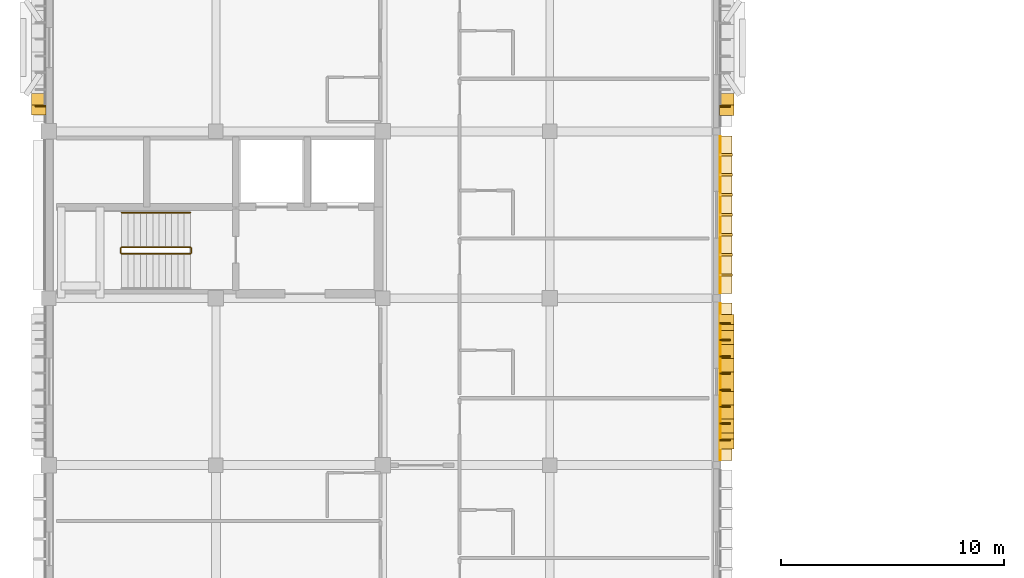
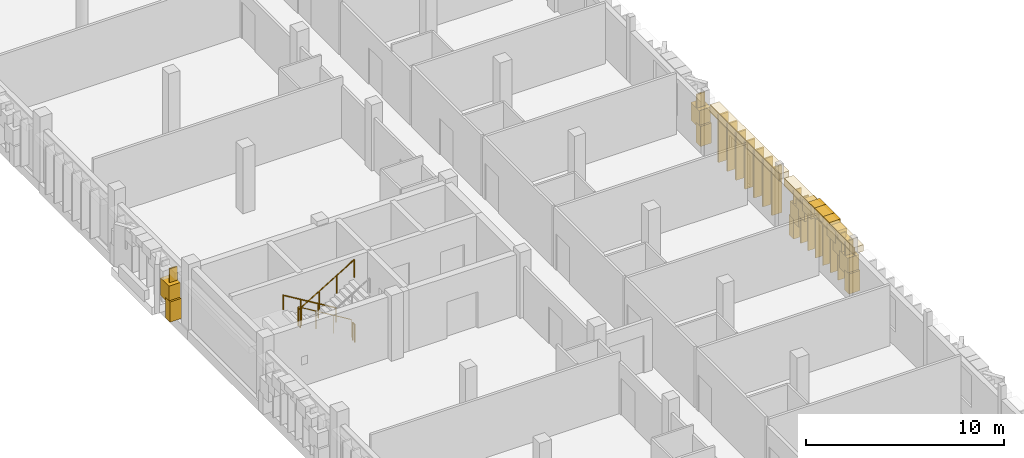
# One storey, part 35 of 48: 26 coverings, 10 shading devices, 5 railings.
"""IFC4 building model written with IfcOpenShell, lengths in metres."""

from ifc_helpers import new_model, si_unit, direction, frame, origin, origin_2d, place, context, subcontext, project, spatial, rectangle, circle, extrude, material, layer, layer_set, type_object, element, save


model = new_model("IFC4")

# Units and contexts
model_context = context("Model", 3, precision=1e-05, world=origin(), true_north=direction((0.0, 1.0)))
body_context = subcontext(model_context, "Body", "Model", "MODEL_VIEW")
ifc_project = project(units=[si_unit("LENGTHUNIT", "METRE"), si_unit("AREAUNIT", "SQUARE_METRE"), si_unit("VOLUMEUNIT", "CUBIC_METRE"), si_unit("PLANEANGLEUNIT", "RADIAN"), si_unit("MASSUNIT", "GRAM", prefix="KILO")], contexts=[model_context])

# Site, building, storey
site_placement = place(None, origin())
site = spatial("IfcSite", under=ifc_project, at=site_placement, CompositionType="ELEMENT")
building_placement = place(site_placement, origin())
building = spatial("IfcBuilding", under=site, at=building_placement, Name="Dalvernix Boulevard General Hospital", CompositionType="ELEMENT")
storey_placement = place(building_placement, frame((0.0, 0.0, 17.85009765625)))
storey = spatial("IfcBuildingStorey", under=building, at=storey_placement, Name="L04", CompositionType="ELEMENT", Elevation=17.85009765625)

# Coverings
ifc_material_1 = material(Name="Pressed Catalan clay brick and dressed limestone parabolic archivolt", Category="masonry")
ifc_layer_1 = layer(ifc_material_1, 0.419921875)
ifc_layer_set_1 = layer_set([ifc_layer_1], Name="Pressed Catalan clay brick and dressed limestone parabolic archivolt (COV-ARC-01)")
covering_type_1 = type_object("IfcCoveringType", Name="COV-ARC-01", PredefinedType="CLADDING", material=ifc_layer_set_1)
covering_1_placement = place(storey_placement, frame((-0.4599609375, 62.46240234375, 0.0), z_axis=(0.0, 0.0, 1.0), x_axis=(0.0, 1.0, 0.0)))
element("IfcCovering", 1, at=covering_1_placement, inside=storey, type_object=covering_type_1, Name="L04 Catalan parabolic arch impost pier W 0-8-L", PredefinedType="CLADDING", context=body_context, shape_type="SweptSolid", body=[
    extrude(rectangle(XDim=0.4599609375, YDim=0.659912109375, at=origin_2d()), origin(), (0.0, 0.0, 1.0), 1.25),
])
covering_2_placement = place(storey_placement, frame((-0.4599609375, 62.773681640625, 1.06005859375), z_axis=(0.0, 0.0, 1.0), x_axis=(0.0, 1.0, 0.0)))
element("IfcCovering", 2, at=covering_2_placement, inside=storey, type_object=covering_type_1, Name="L04 Catalan parabolic archivolt voussoir W 0-8-1", PredefinedType="CLADDING", context=body_context, shape_type="SweptSolid", body=[
    extrude(rectangle(XDim=0.8623046875, YDim=0.659912109375, at=origin_2d()), origin(), (0.0, 0.0, 1.0), 1.091064453125),
])
for number, where, z_axis, x_axis, name in (
    (3, (30.4599609375, 53.050048828125, 0.0), (0.0, 0.0, 1.0), (0.0, -1.0, 0.0), "L04 Catalan parabolic arch impost pier E 4-6-L"),
    (4, (30.4599609375, 47.449951171875, 0.0), (0.0, 0.0, 1.0), (0.0, -1.0, 0.0), "L04 Catalan parabolic arch impost pier E 4-6-R"),
):
    element("IfcCovering", number, at=place(storey_placement, frame(where, z_axis=z_axis, x_axis=x_axis)), inside=storey, type_object=covering_type_1, Name=name, PredefinedType="CLADDING", context=body_context, shape_type="SweptSolid", body=[
        extrude(rectangle(XDim=0.4599609375, YDim=0.659912109375, at=origin_2d()), origin(), (0.0, 0.0, 1.0), 1.25),
    ])
covering_3_placement = place(storey_placement, frame((30.4599609375, 52.739013671875, 1.06005859375), z_axis=(0.0, 0.0, 1.0), x_axis=(0.0, -1.0, 0.0)))
element("IfcCovering", 5, at=covering_3_placement, inside=storey, type_object=covering_type_1, Name="L04 Catalan parabolic archivolt voussoir E 4-6-1", PredefinedType="CLADDING", context=body_context, shape_type="SweptSolid", body=[
    extrude(rectangle(XDim=0.8623046875, YDim=0.659912109375, at=origin_2d()), origin(), (0.0, 0.0, 1.0), 1.091064453125),
])
covering_4_placement = place(storey_placement, frame((30.4599609375, 52.11669921875, 1.77099609375), z_axis=(0.0, 0.0, 1.0), x_axis=(0.0, -1.0, 0.0)))
element("IfcCovering", 6, at=covering_4_placement, inside=storey, type_object=covering_type_1, Name="L04 Catalan parabolic archivolt voussoir E 4-6-2", PredefinedType="CLADDING", context=body_context, shape_type="SweptSolid", body=[
    extrude(rectangle(XDim=0.8623046875, YDim=0.659912109375, at=origin_2d()), origin(), (0.0, 0.0, 1.0), 0.913330078125),
])
covering_5_placement = place(storey_placement, frame((30.4599609375, 51.494384765625, 2.30419921875), z_axis=(0.0, 0.0, 1.0), x_axis=(0.0, -1.0, 0.0)))
element("IfcCovering", 7, at=covering_5_placement, inside=storey, type_object=covering_type_1, Name="L04 Catalan parabolic archivolt voussoir E 4-6-3", PredefinedType="CLADDING", context=body_context, shape_type="SweptSolid", body=[
    extrude(rectangle(XDim=0.8623046875, YDim=0.659912109375, at=origin_2d()), origin(), (0.0, 0.0, 1.0), 0.735595703125),
])
covering_6_placement = place(storey_placement, frame((30.4599609375, 50.872314453125, 2.65966796875), z_axis=(0.0, 0.0, 1.0), x_axis=(0.0, -1.0, 0.0)))
element("IfcCovering", 8, at=covering_6_placement, inside=storey, type_object=covering_type_1, Name="L04 Catalan parabolic archivolt voussoir E 4-6-4", PredefinedType="CLADDING", context=body_context, shape_type="SweptSolid", body=[
    extrude(rectangle(XDim=0.8623046875, YDim=0.659912109375, at=origin_2d()), origin(), (0.0, 0.0, 1.0), 0.557861328125),
])
covering_7_placement = place(storey_placement, frame((30.4599609375, 50.25, 2.837646484375), z_axis=(0.0, 0.0, 1.0), x_axis=(0.0, -1.0, 0.0)))
element("IfcCovering", 9, at=covering_7_placement, inside=storey, type_object=covering_type_1, Name="L04 Catalan parabolic archivolt voussoir E 4-6-5", PredefinedType="CLADDING", context=body_context, shape_type="SweptSolid", body=[
    extrude(rectangle(XDim=0.8623046875, YDim=0.659912109375, at=origin_2d()), origin(), (0.0, 0.0, 1.0), 0.3798828125),
])
covering_8_placement = place(storey_placement, frame((30.4599609375, 49.627685546875, 2.65966796875), z_axis=(0.0, 0.0, 1.0), x_axis=(0.0, -1.0, 0.0)))
element("IfcCovering", 10, at=covering_8_placement, inside=storey, type_object=covering_type_1, Name="L04 Catalan parabolic archivolt voussoir E 4-6-6", PredefinedType="CLADDING", context=body_context, shape_type="SweptSolid", body=[
    extrude(rectangle(XDim=0.8623046875, YDim=0.659912109375, at=origin_2d()), origin(), (0.0, 0.0, 1.0), 0.557861328125),
])
covering_9_placement = place(storey_placement, frame((30.4599609375, 49.005615234375, 2.30419921875), z_axis=(0.0, 0.0, 1.0), x_axis=(0.0, -1.0, 0.0)))
element("IfcCovering", 11, at=covering_9_placement, inside=storey, type_object=covering_type_1, Name="L04 Catalan parabolic archivolt voussoir E 4-6-7", PredefinedType="CLADDING", context=body_context, shape_type="SweptSolid", body=[
    extrude(rectangle(XDim=0.8623046875, YDim=0.659912109375, at=origin_2d()), origin(), (0.0, 0.0, 1.0), 0.735595703125),
])
covering_10_placement = place(storey_placement, frame((30.4599609375, 48.38330078125, 1.77099609375), z_axis=(0.0, 0.0, 1.0), x_axis=(0.0, -1.0, 0.0)))
element("IfcCovering", 12, at=covering_10_placement, inside=storey, type_object=covering_type_1, Name="L04 Catalan parabolic archivolt voussoir E 4-6-8", PredefinedType="CLADDING", context=body_context, shape_type="SweptSolid", body=[
    extrude(rectangle(XDim=0.8623046875, YDim=0.659912109375, at=origin_2d()), origin(), (0.0, 0.0, 1.0), 0.913330078125),
])
covering_11_placement = place(storey_placement, frame((30.4599609375, 47.760986328125, 1.06005859375), z_axis=(0.0, 0.0, 1.0), x_axis=(0.0, -1.0, 0.0)))
element("IfcCovering", 13, at=covering_11_placement, inside=storey, type_object=covering_type_1, Name="L04 Catalan parabolic archivolt voussoir E 4-6-9", PredefinedType="CLADDING", context=body_context, shape_type="SweptSolid", body=[
    extrude(rectangle(XDim=0.8623046875, YDim=0.659912109375, at=origin_2d()), origin(), (0.0, 0.0, 1.0), 1.091064453125),
])
covering_12_placement = place(storey_placement, frame((30.4599609375, 62.449951171875, 0.0), z_axis=(0.0, 0.0, 1.0), x_axis=(0.0, -1.0, 0.0)))
element("IfcCovering", 14, at=covering_12_placement, inside=storey, type_object=covering_type_1, Name="L04 Catalan parabolic arch impost pier E 4-8-R", PredefinedType="CLADDING", context=body_context, shape_type="SweptSolid", body=[
    extrude(rectangle(XDim=0.4599609375, YDim=0.659912109375, at=origin_2d()), origin(), (0.0, 0.0, 1.0), 1.25),
])
covering_13_placement = place(storey_placement, frame((30.4599609375, 62.760986328125, 1.06005859375), z_axis=(0.0, 0.0, 1.0), x_axis=(0.0, -1.0, 0.0)))
element("IfcCovering", 15, at=covering_13_placement, inside=storey, type_object=covering_type_1, Name="L04 Catalan parabolic archivolt voussoir E 4-8-9", PredefinedType="CLADDING", context=body_context, shape_type="SweptSolid", body=[
    extrude(rectangle(XDim=0.8623046875, YDim=0.659912109375, at=origin_2d()), origin(), (0.0, 0.0, 1.0), 1.091064453125),
])
ifc_material_2 = material(Name="Polychrome Catalan glazed ceramic spandrel tile panel")
ifc_layer_2 = layer(ifc_material_2, 0.044921875)
ifc_layer_set_2 = layer_set([ifc_layer_2], Name="Polychrome Catalan glazed ceramic spandrel tile panel (COV-CLD-01)")
covering_type_2 = type_object("IfcCoveringType", Name="COV-CLD-01", PredefinedType="CLADDING", material=ifc_layer_set_2)
for number, where, z_axis, x_axis, name in (
    (16, (30.169921875, 50.25, 2.69482421875), (0.0, 0.0, 1.0), (0.0, -1.0, 0.0), "L04 polychrome ceramic spandrel E 4-6"),
    (17, (30.169921875, 57.75, 2.69482421875), (0.0, 0.0, 1.0), (0.0, -1.0, 0.0), "L04 polychrome ceramic spandrel E 4-7"),
):
    element("IfcCovering", number, at=place(storey_placement, frame(where, z_axis=z_axis, x_axis=x_axis)), inside=storey, type_object=covering_type_2, Name=name, PredefinedType="CLADDING", context=body_context, shape_type="SweptSolid", body=[
        extrude(rectangle(XDim=7.06005859375, YDim=0.044921875, at=origin_2d()), origin(), (0.0, 0.0, 1.0), 0.449951171875),
    ])
ifc_material_3 = material(Name="Dressed ochre limestone classical plinth, stringcourse and corbelled cornice", Category="masonry")
ifc_layer_3 = layer(ifc_material_3, 0.449951171875)
ifc_layer_set_3 = layer_set([ifc_layer_3], Name="Dressed ochre limestone classical plinth, stringcourse and corbelled cornice (COV-CRN-01)")
covering_type_3 = type_object("IfcCoveringType", Name="COV-CRN-01", PredefinedType="CLADDING", material=ifc_layer_set_3)
for number, where, z_axis, x_axis, name in (
    (18, (30.409912109375, 50.25, 2.77001953125), (0.0, 0.0, 1.0), (0.0, -1.0, 0.0), "L04 classical corbelled cornice frieze E 4-6"),
    (19, (30.409912109375, 57.75, 2.77001953125), (0.0, 0.0, 1.0), (0.0, -1.0, 0.0), "L04 classical corbelled cornice frieze E 4-7"),
):
    element("IfcCovering", number, at=place(storey_placement, frame(where, z_axis=z_axis, x_axis=x_axis)), inside=storey, type_object=covering_type_3, Name=name, PredefinedType="CLADDING", context=body_context, shape_type="SweptSolid", body=[
        extrude(rectangle(XDim=7.06005859375, YDim=0.56005859375, at=origin_2d()), origin(), (0.0, 0.0, 1.0), 0.39990234375),
    ])
ifc_material_4 = material(Name="Terracotta-clad iroko timber brise-soleil sun-breaker fin", Category="masonry")
ifc_layer_4 = layer(ifc_material_4, 0.10009765625)
ifc_layer_set_4 = layer_set([ifc_layer_4], Name="Terracotta-clad iroko timber brise-soleil sun-breaker fin (COV-FIN-02)")
covering_type_4 = type_object("IfcCoveringType", Name="COV-FIN-02", PredefinedType="CLADDING", material=ifc_layer_set_4)
for number, where, z_axis, x_axis, name in (
    (20, (30.419921875, 60.449951171875, 0.1201171875), (0.0, 0.0, 1.0), (0.0, -1.0, 0.0), "L04 terracotta brise-soleil fin E 4-7-1"),
    (21, (30.419921875, 59.550048828125, 0.1201171875), (0.0, 0.0, 1.0), (0.0, -1.0, 0.0), "L04 terracotta brise-soleil fin E 4-7-2"),
    (22, (30.419921875, 58.64990234375, 0.1201171875), (0.0, 0.0, 1.0), (0.0, -1.0, 0.0), "L04 terracotta brise-soleil fin E 4-7-3"),
    (23, (30.419921875, 57.75, 0.1201171875), (0.0, 0.0, 1.0), (0.0, -1.0, 0.0), "L04 terracotta brise-soleil fin E 4-7-4"),
    (24, (30.419921875, 56.85009765625, 0.1201171875), (0.0, 0.0, 1.0), (0.0, -1.0, 0.0), "L04 terracotta brise-soleil fin E 4-7-5"),
    (25, (30.419921875, 55.949951171875, 0.1201171875), (0.0, 0.0, 1.0), (0.0, -1.0, 0.0), "L04 terracotta brise-soleil fin E 4-7-6"),
    (26, (30.419921875, 55.050048828125, 0.1201171875), (0.0, 0.0, 1.0), (0.0, -1.0, 0.0), "L04 terracotta brise-soleil fin E 4-7-7"),
):
    element("IfcCovering", number, at=place(storey_placement, frame(where, z_axis=z_axis, x_axis=x_axis)), inside=storey, type_object=covering_type_4, Name=name, PredefinedType="CLADDING", context=body_context, shape_type="SweptSolid", body=[
        extrude(rectangle(XDim=0.10009765625, YDim=0.580078125, at=origin_2d()), origin(), (0.0, 0.0, 1.0), 2.929931640625),
    ])

# Railings
ifc_material_5 = material(Name="Brushed stainless steel balustrade", Category="steel")
railing_type_1 = type_object("IfcRailingType", Name="RL-GR-INT1", PredefinedType="BALUSTRADE", material=ifc_material_5)
railing_1_placement = place(storey_placement, frame((6.35009765625, 56.300048828125, 0.168701171875)))
element("IfcRailing", 27, at=railing_1_placement, inside=storey, type_object=railing_type_1, Name="L04 ST-02 stair guard 1", PredefinedType="BALUSTRADE", context=body_context, shape_type="SweptSolid", body=[
    extrude(circle(Radius=0.02392578125, at=origin_2d()), frame((0.0, 0.0, 1.09619140625), z_axis=(-0.856490936558, 0.0, 0.516162063304), x_axis=(0.0, -1.0, 0.0)), (0.0, 0.0, 1.0), 3.59619140625),
    extrude(circle(Radius=0.02099609375, at=origin_2d()), origin(), (0.0, 0.0, 1.0), 1.072021484375),
    extrude(circle(Radius=0.02099609375, at=origin_2d()), frame((-1.026611328125, 0.0, 0.61865234375)), (0.0, 0.0, 1.0), 1.072021484375),
    extrude(circle(Radius=0.02099609375, at=origin_2d()), frame((-2.053466796875, 0.0, 1.237548828125)), (0.0, 0.0, 1.0), 1.072021484375),
    extrude(circle(Radius=0.02099609375, at=origin_2d()), frame((-3.080078125, 0.0, 1.856201171875)), (0.0, 0.0, 1.0), 1.072021484375),
])
railing_2_placement = place(storey_placement, frame((3.219970703125, 56.25, 2.02490234375)))
element("IfcRailing", 28, at=railing_2_placement, inside=storey, type_object=railing_type_1, Name="L04 ST-02 stair guard 2", PredefinedType="BALUSTRADE", context=body_context, shape_type="SweptSolid", body=[
    extrude(circle(Radius=0.02392578125, at=origin_2d()), frame((0.0, 0.0, 1.09619140625), z_axis=(0.0, -1.0, 0.0), x_axis=(1.0, 0.0, 0.0)), (0.0, 0.0, 1.0), 0.199951171875),
    extrude(circle(Radius=0.02099609375, at=origin_2d()), origin(), (0.0, 0.0, 1.0), 1.072021484375),
    extrude(circle(Radius=0.02099609375, at=origin_2d()), frame((0.0, -0.199951171875, 0.0)), (0.0, 0.0, 1.0), 1.072021484375),
])
railing_3_placement = place(storey_placement, frame((3.27001953125, 56.0, 2.193603515625)))
element("IfcRailing", 29, at=railing_3_placement, inside=storey, type_object=railing_type_1, Name="L04 ST-02 stair guard 3", PredefinedType="BALUSTRADE", context=body_context, shape_type="SweptSolid", body=[
    extrude(circle(Radius=0.02392578125, at=origin_2d()), frame((0.0, 0.0, 1.09619140625), z_axis=(0.856490936558, 0.0, 0.516162063304), x_axis=(0.0, 1.0, 0.0)), (0.0, 0.0, 1.0), 3.59619140625),
    extrude(circle(Radius=0.02099609375, at=origin_2d()), origin(), (0.0, 0.0, 1.0), 1.072021484375),
    extrude(circle(Radius=0.02099609375, at=origin_2d()), frame((1.026611328125, 0.0, 0.61865234375)), (0.0, 0.0, 1.0), 1.072021484375),
    extrude(circle(Radius=0.02099609375, at=origin_2d()), frame((2.053466796875, 0.0, 1.237548828125)), (0.0, 0.0, 1.0), 1.072021484375),
    extrude(circle(Radius=0.02099609375, at=origin_2d()), frame((3.080078125, 0.0, 1.856201171875)), (0.0, 0.0, 1.0), 1.072021484375),
])
railing_4_placement = place(storey_placement, frame((6.39990234375, 56.25, 0.0)))
element("IfcRailing", 30, at=railing_4_placement, inside=storey, type_object=railing_type_1, Name="L04 ST-02 stair guard 4", PredefinedType="BALUSTRADE", context=body_context, shape_type="SweptSolid", body=[
    extrude(circle(Radius=0.02392578125, at=origin_2d()), frame((0.0, 0.0, 1.09619140625), z_axis=(0.0, -1.0, 0.0), x_axis=(1.0, 0.0, 0.0)), (0.0, 0.0, 1.0), 0.199951171875),
    extrude(circle(Radius=0.02099609375, at=origin_2d()), origin(), (0.0, 0.0, 1.0), 1.072021484375),
    extrude(circle(Radius=0.02099609375, at=origin_2d()), frame((0.0, -0.199951171875, 0.0)), (0.0, 0.0, 1.0), 1.072021484375),
])
ifc_material_6 = material(Name="Brushed stainless steel wall handrail", Category="steel")
railing_type_2 = type_object("IfcRailingType", Name="RL-HR-INT1", PredefinedType="HANDRAIL", material=ifc_material_6)
railing_5_placement = place(storey_placement, frame((6.35009765625, 57.85009765625, 0.168701171875)))
element("IfcRailing", 31, at=railing_5_placement, inside=storey, type_object=railing_type_2, Name="L04 ST-02 stair handrail 1", PredefinedType="HANDRAIL", context=body_context, shape_type="SweptSolid", body=[
    extrude(circle(Radius=0.02392578125, at=origin_2d()), frame((0.0, 0.0, 0.8759765625), z_axis=(-0.856490936558, 0.0, 0.516162063304), x_axis=(0.0, -1.0, 0.0)), (0.0, 0.0, 1.0), 3.59619140625),
    extrude(circle(Radius=0.02099609375, at=origin_2d()), origin(), (0.0, 0.0, 1.0), 0.851806640625),
    extrude(circle(Radius=0.02099609375, at=origin_2d()), frame((-1.026611328125, 0.0, 0.61865234375)), (0.0, 0.0, 1.0), 0.851806640625),
    extrude(circle(Radius=0.02099609375, at=origin_2d()), frame((-2.053466796875, 0.0, 1.237548828125)), (0.0, 0.0, 1.0), 0.851806640625),
    extrude(circle(Radius=0.02099609375, at=origin_2d()), frame((-3.080078125, 0.0, 1.856201171875)), (0.0, 0.0, 1.0), 0.851806640625),
])

# Shading devices
ifc_material_7 = material(Name="Preservative-treated West African iroko timber", Category="wood")
shading_device_type = type_object("IfcShadingDeviceType", Name="SHD-FIN-01", PredefinedType="USERDEFINED", material=ifc_material_7)
for number, where, z_axis, x_axis, name in (
    (32, (-0.3798828125, 62.637451171875, 0.1748046875), (0.0, 0.0, 1.0), (0.0, 1.0, 0.0), "L04 iroko brise-soleil fin 1"),
    (33, (30.3798828125, 52.875, 0.1748046875), (0.0, 0.0, 1.0), (0.0, -1.0, 0.0), "L04 iroko brise-soleil fin 1"),
    (34, (30.3798828125, 52.125, 0.1748046875), (0.0, 0.0, 1.0), (0.0, -1.0, 0.0), "L04 iroko brise-soleil fin 2"),
    (35, (30.3798828125, 51.375, 0.1748046875), (0.0, 0.0, 1.0), (0.0, -1.0, 0.0), "L04 iroko brise-soleil fin 3"),
    (36, (30.3798828125, 50.625, 0.1748046875), (0.0, 0.0, 1.0), (0.0, -1.0, 0.0), "L04 iroko brise-soleil fin 4"),
    (37, (30.3798828125, 49.875, 0.1748046875), (0.0, 0.0, 1.0), (0.0, -1.0, 0.0), "L04 iroko brise-soleil fin 5"),
    (38, (30.3798828125, 49.125, 0.1748046875), (0.0, 0.0, 1.0), (0.0, -1.0, 0.0), "L04 iroko brise-soleil fin 6"),
    (39, (30.3798828125, 48.375, 0.1748046875), (0.0, 0.0, 1.0), (0.0, -1.0, 0.0), "L04 iroko brise-soleil fin 7"),
    (40, (30.3798828125, 47.625, 0.1748046875), (0.0, 0.0, 1.0), (0.0, -1.0, 0.0), "L04 iroko brise-soleil fin 8"),
    (41, (30.3798828125, 62.625, 0.1748046875), (0.0, 0.0, 1.0), (0.0, -1.0, 0.0), "L04 iroko brise-soleil fin 8"),
):
    element("IfcShadingDevice", number, at=place(storey_placement, frame(where, z_axis=z_axis, x_axis=x_axis)), inside=storey, type_object=shading_device_type, Name=name, ObjectType="FIN", PredefinedType="USERDEFINED", context=body_context, shape_type="SweptSolid", body=[
        extrude(rectangle(XDim=0.06494140625, YDim=0.47998046875, at=origin_2d()), origin(), (0.0, 0.0, 1.0), 2.820068359375),
    ])

save(model, "model.ifc")
